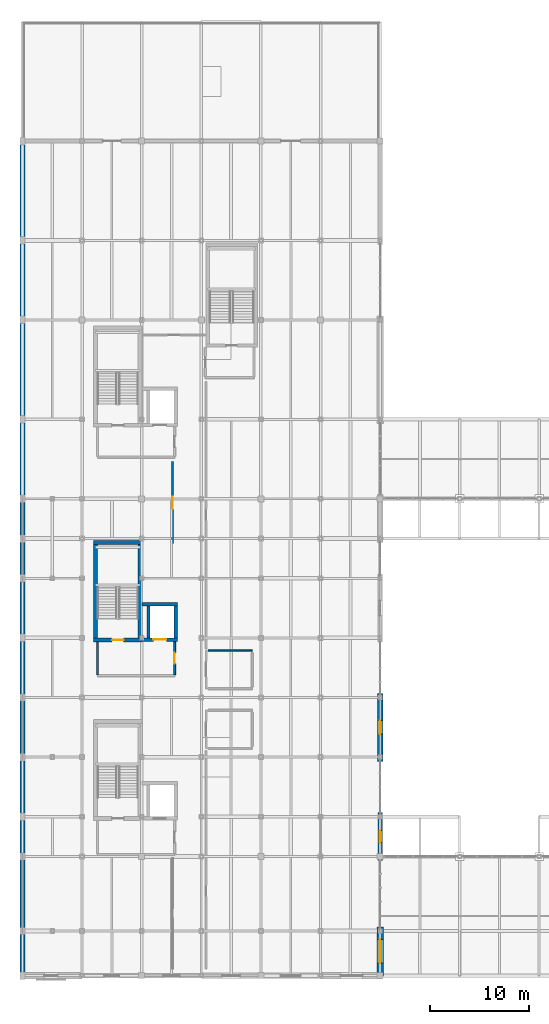
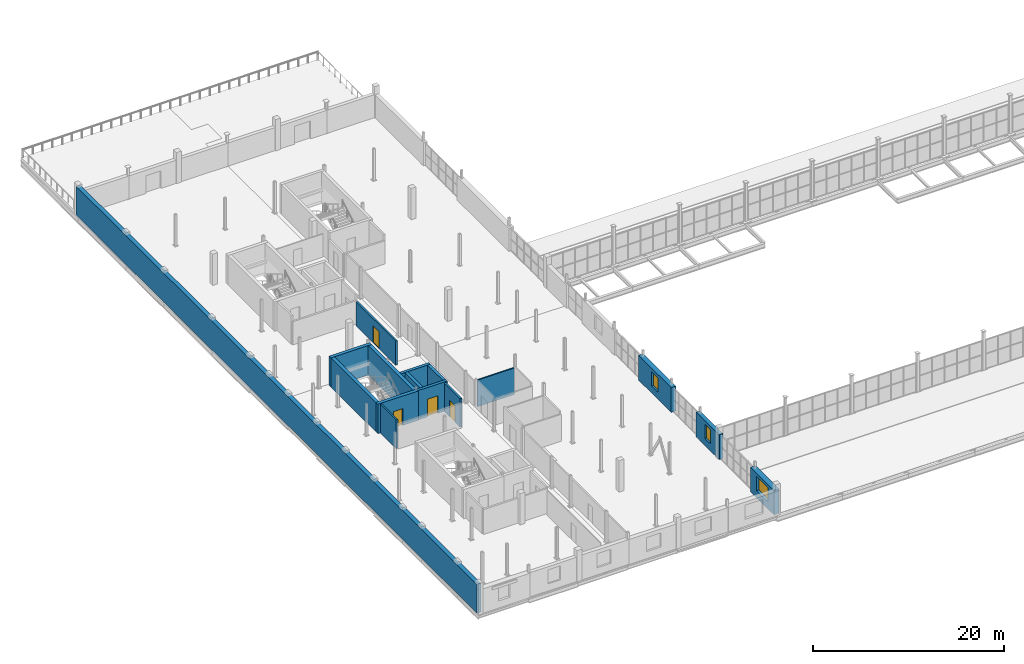
# One storey, part 88 of 96: 16 walls, 4 doors, 3 windows, 7 openings.
"""IFC4 building model written with IfcOpenShell, lengths in metres."""

from ifc_helpers import new_model, si_unit, direction, frame, frame_2d, origin, place, context, subcontext, project, spatial, rectangle, extrude, material, layer, layer_set, type_object, element, fill, save


model = new_model("IFC4")

# Units and contexts
model_context = context("Model", 3, precision=1e-05, world=origin(), true_north=direction((0.0, 1.0)))
body_context = subcontext(model_context, "Body", "Model", "MODEL_VIEW")
ifc_project = project(units=[si_unit("LENGTHUNIT", "METRE"), si_unit("AREAUNIT", "SQUARE_METRE"), si_unit("VOLUMEUNIT", "CUBIC_METRE"), si_unit("PLANEANGLEUNIT", "RADIAN"), si_unit("MASSUNIT", "GRAM", prefix="KILO")], contexts=[model_context])

# Site, building, storey
site_placement = place(None, origin())
site = spatial("IfcSite", under=ifc_project, at=site_placement, CompositionType="ELEMENT")
building_placement = place(site_placement, origin())
building = spatial("IfcBuilding", under=site, at=building_placement, Name="Verrall Gate Interchange", CompositionType="ELEMENT")
storey_placement = place(building_placement, frame((0.0, 0.0, 11.39990234375)))
storey = spatial("IfcBuildingStorey", under=building, at=storey_placement, Name="L03", CompositionType="ELEMENT", Elevation=11.39990234375)

# Wall, opening, window
ifc_material_1 = material(Name="Tyndall Dolomitic Limestone Ashlar Cavity Assembly (U=0.18)", Category="masonry")
ifc_layer_1 = layer(ifc_material_1, 0.4599609375)
ifc_layer_set_1 = layer_set([ifc_layer_1], Name="Tyndall Dolomitic Limestone Ashlar Cavity Assembly (U=0.18)")
wall_type_1 = type_object("IfcWallType", Name="EW-02 Exterior Solid Wall 460", PredefinedType="SOLIDWALL", material=ifc_layer_set_1)
wall_1_placement = place(storey_placement, frame((36.0, 11.580078125, 0.0), z_axis=(0.0, 0.0, 1.0), x_axis=(0.0, 1.0, 0.0)))
wall_1 = element("IfcWall", 1, at=wall_1_placement, inside=storey, type_object=wall_type_1, Name="L03 Classical Limestone Facade Wall 087", PredefinedType="SOLIDWALL", context=body_context, shape_type="SweptSolid", body=[
    extrude(rectangle(XDim=4.83984375, YDim=0.4599609375, at=frame_2d((2.419921875, 0.0))), origin(), (0.0, 0.0, 1.0), 3.18701171875),
])
opening_1_placement = place(wall_1_placement, frame((1.820068359375, 0.0, 0.89990234375)))
opening_1 = element("IfcOpeningElement", 2, at=opening_1_placement, cuts=wall_1, Name="Opening WN-01", PredefinedType="OPENING", context=body_context, shape_type="SweptSolid", body=[
    extrude(rectangle(XDim=1.199951171875, YDim=1.800048828125, at=frame_2d((0.60009765625, 0.89990234375))), frame((0.0, 0.244873046875, 0.0), z_axis=(0.0, -1.0, 0.0), x_axis=(1.0, 0.0, 0.0)), (0.0, 0.0, 1.0), 0.48974609375),
])
ifc_material_2 = material(Name="Triple-Glazed Low-E Argon Bronze-Clad Window Unit (U=1.40)", Category="glass")
window_type_1 = type_object("IfcWindowType", Name="WN-01 Classical Deep-Reveal Window 1200x1800", PartitioningType="SINGLE_PANEL", PredefinedType="WINDOW", material=ifc_material_2)
window_1_placement = place(opening_1_placement, origin())
window_1 = element("IfcWindow", 3, at=window_1_placement, inside=storey, type_object=window_type_1, Name="L03 Classical Window 045 (WN-01)", OverallHeight=1.800048828125, OverallWidth=1.199951171875, PartitioningType="SINGLE_PANEL", PredefinedType="WINDOW", context=body_context, shape_type="SweptSolid", body=[
    extrude(rectangle(XDim=1.199951171875, YDim=1.800048828125, at=frame_2d((0.60009765625, 0.89990234375))), frame((0.0, 0.030029296875, 0.0), z_axis=(0.0, -1.0, 0.0), x_axis=(1.0, 0.0, 0.0)), (0.0, 0.0, 1.0), 0.06005859375),
])
fill(opening_1, window_1)

ifc_material_3 = material(Name="Tyndall Dolomitic Limestone Ashlar Cavity Assembly (U=0.18)", Category="masonry")
ifc_layer_2 = layer(ifc_material_3, 0.56005859375)
ifc_layer_set_2 = layer_set([ifc_layer_2], Name="Tyndall Dolomitic Limestone Ashlar Cavity Assembly (U=0.18)")
wall_type_2 = type_object("IfcWallType", Name="EW-04 Exterior Solid Wall 560", PredefinedType="SOLIDWALL", material=ifc_layer_set_2)
wall_2_placement = place(storey_placement, frame((36.0, 21.580078125, 0.0), z_axis=(0.0, 0.0, 1.0), x_axis=(0.0, 1.0, 0.0)))
wall_2 = element("IfcWall", 4, at=wall_2_placement, inside=storey, type_object=wall_type_2, Name="L03 Classical Limestone Facade Wall 088", PredefinedType="SOLIDWALL", context=body_context, shape_type="SweptSolid", body=[
    extrude(rectangle(XDim=6.83984375, YDim=0.56005859375, at=frame_2d((3.419921875, 0.0))), origin(), (0.0, 0.0, 1.0), 3.18701171875),
])
opening_2_placement = place(wall_2_placement, frame((2.7451171875, 0.0, 0.89990234375)))
opening_2 = element("IfcOpeningElement", 5, at=opening_2_placement, cuts=wall_2, Name="Opening WN-02", PredefinedType="OPENING", context=body_context, shape_type="SweptSolid", body=[
    extrude(rectangle(XDim=1.35009765625, YDim=1.800048828125, at=frame_2d((0.675048828125, 0.89990234375))), frame((0.0, 0.294921875, 0.0), z_axis=(0.0, -1.0, 0.0), x_axis=(1.0, 0.0, 0.0)), (0.0, 0.0, 1.0), 0.58984375),
])
ifc_material_4 = material(Name="Triple-Glazed Low-E Argon Bronze-Clad Window Unit (U=1.40)", Category="glass")
window_type_2 = type_object("IfcWindowType", Name="WN-02 Classical Deep-Reveal Window 1350x1800", PartitioningType="SINGLE_PANEL", PredefinedType="WINDOW", material=ifc_material_4)
window_2_placement = place(opening_2_placement, origin())
window_2 = element("IfcWindow", 6, at=window_2_placement, inside=storey, type_object=window_type_2, Name="L03 Classical Window 046 (WN-02)", OverallHeight=1.800048828125, OverallWidth=1.35009765625, PartitioningType="SINGLE_PANEL", PredefinedType="WINDOW", context=body_context, shape_type="SweptSolid", body=[
    extrude(rectangle(XDim=1.35009765625, YDim=1.800048828125, at=frame_2d((0.675048828125, 0.89990234375))), frame((0.0, 0.030029296875, 0.0), z_axis=(0.0, -1.0, 0.0), x_axis=(1.0, 0.0, 0.0)), (0.0, 0.0, 1.0), 0.06005859375),
])
fill(opening_2, window_2)

ifc_material_5 = material(Name="Prairie Charcoal Granite Plinth Rainscreen Assembly (U=0.18)", Category="masonry")
ifc_layer_3 = layer(ifc_material_5, 0.6201171875)
ifc_layer_set_3 = layer_set([ifc_layer_3], Name="Prairie Charcoal Granite Plinth Rainscreen Assembly (U=0.18)")
wall_type_3 = type_object("IfcWallType", Name="EW-05 Exterior Solid Wall 620", PredefinedType="SOLIDWALL", material=ifc_layer_set_3)
wall_3_placement = place(storey_placement, frame((36.0, -0.008056640625, 0.0), z_axis=(0.0, 0.0, 1.0), x_axis=(0.0, 1.0, 0.0)))
wall_3 = element("IfcWall", 7, at=wall_3_placement, inside=storey, type_object=wall_type_3, Name="L03 Classical Limestone Facade Wall 086", PredefinedType="SOLIDWALL", context=body_context, shape_type="SweptSolid", body=[
    extrude(rectangle(XDim=4.927978515625, YDim=0.6201171875, at=frame_2d((2.4638671875, 0.0))), origin(), (0.0, 0.0, 1.0), 3.111083984375),
])
opening_3_placement = place(wall_3_placement, frame((1.263916015625, 0.0, 0.89990234375)))
opening_3 = element("IfcOpeningElement", 8, at=opening_3_placement, cuts=wall_3, Name="Opening WN-08", PredefinedType="OPENING", context=body_context, shape_type="SweptSolid", body=[
    extrude(rectangle(XDim=2.39990234375, YDim=1.800048828125, at=frame_2d((1.199951171875, 0.89990234375))), frame((0.0, 0.324951171875, 0.0), z_axis=(0.0, -1.0, 0.0), x_axis=(1.0, 0.0, 0.0)), (0.0, 0.0, 1.0), 0.64990234375),
])
ifc_material_6 = material(Name="Triple-Glazed Low-E Argon Bronze-Clad Window Unit (U=1.40)", Category="glass")
window_type_3 = type_object("IfcWindowType", Name="WN-08 Classical Deep-Reveal Window 2400x1800", PartitioningType="SINGLE_PANEL", PredefinedType="WINDOW", material=ifc_material_6)
window_3_placement = place(opening_3_placement, origin())
window_3 = element("IfcWindow", 9, at=window_3_placement, inside=storey, type_object=window_type_3, Name="L03 Classical Window 044 (WN-08)", OverallHeight=1.800048828125, OverallWidth=2.39990234375, PartitioningType="SINGLE_PANEL", PredefinedType="WINDOW", context=body_context, shape_type="SweptSolid", body=[
    extrude(rectangle(XDim=2.39990234375, YDim=1.800048828125, at=frame_2d((1.199951171875, 0.89990234375))), frame((0.0, 0.030029296875, 0.0), z_axis=(0.0, -1.0, 0.0), x_axis=(1.0, 0.0, 0.0)), (0.0, 0.0, 1.0), 0.06005859375),
])
fill(opening_3, window_3)

# Walls
ifc_material_7 = material(Name="Concrete CSA A23.1 35 MPa Zero-Lot 2h Party Wall (U=0.18)", Category="concrete")
ifc_layer_4 = layer(ifc_material_7, 0.5)
ifc_layer_set_4 = layer_set([ifc_layer_4], Name="Concrete CSA A23.1 35 MPa Zero-Lot 2h Party Wall (U=0.18)")
wall_type_4 = type_object("IfcWallType", Name="EW-PTY Exterior Solid Wall 500", PredefinedType="SOLIDWALL", material=ifc_layer_set_4)
wall_4_placement = place(storey_placement, frame((0.0, -0.008056640625, 0.0), z_axis=(0.0, 0.0, 1.0), x_axis=(0.0, 1.0, 0.0)))
element("IfcWall", 10, at=wall_4_placement, inside=storey, type_object=wall_type_4, Name="L03 West Zero-Lot 2h Party Wall 003", PredefinedType="SOLIDWALL", context=body_context, shape_type="SweptSolid", body=[
    extrude(rectangle(XDim=84.01611328125, YDim=0.5, at=frame_2d((42.008056640625, 0.0))), origin(), (0.0, 0.0, 1.0), 3.68017578125),
])
ifc_material_8 = material(Name="Fire-Rated Type X Gypsum Stud Partition Assembly (60 min)", Category="gypsum")
ifc_layer_5 = layer(ifc_material_8, 0.199951171875)
ifc_layer_set_5 = layer_set([ifc_layer_5], Name="Fire-Rated Type X Gypsum Stud Partition Assembly (60 min)")
wall_type_5 = type_object("IfcWallType", Name="IW-01 Interior Partition Wall 200", PredefinedType="PARTITIONING", material=ifc_layer_set_5)
wall_5_placement = place(storey_placement, frame((7.550048828125, 33.60009765625, 0.0), z_axis=(0.0, 0.0, 1.0), x_axis=(0.0, -1.0, 0.0)))
element("IfcWall", 11, at=wall_5_placement, inside=storey, type_object=wall_type_5, Name="L03 Core C2 Lobby West Rated Wall", PredefinedType="PARTITIONING", context=body_context, shape_type="SweptSolid", body=[
    extrude(rectangle(XDim=3.320068359375, YDim=0.199951171875, at=frame_2d((1.66015625, 0.0))), origin(), (0.0, 0.0, 1.0), 3.68017578125),
])

# Wall, opening, door
wall_6_placement = place(storey_placement, frame((15.300048828125, 30.280029296875, 0.0), z_axis=(0.0, 0.0, 1.0), x_axis=(0.0, 1.0, 0.0)))
wall_6 = element("IfcWall", 12, at=wall_6_placement, inside=storey, type_object=wall_type_5, Name="L03 Core C2 Lobby East Rated Wall", PredefinedType="PARTITIONING", context=body_context, shape_type="SweptSolid", body=[
    extrude(rectangle(XDim=3.320068359375, YDim=0.199951171875, at=frame_2d((1.66015625, 0.0))), origin(), (0.0, 0.0, 1.0), 3.68017578125),
])
opening_4_placement = place(wall_6_placement, frame((1.110107421875, 0.0, 0.0)))
opening_4 = element("IfcOpeningElement", 13, at=opening_4_placement, cuts=wall_6, Name="Opening LBD032", PredefinedType="OPENING", context=body_context, shape_type="SweptSolid", body=[
    extrude(rectangle(XDim=1.10009765625, YDim=2.14990234375, at=frame_2d((0.550048828125, 1.074951171875))), frame((0.0, 0.11474609375, 0.0), z_axis=(0.0, -1.0, 0.0), x_axis=(1.0, 0.0, 0.0)), (0.0, 0.0, 1.0), 0.229736328125),
])
ifc_material_9 = material(Name="Hollow-Metal Fire-Rated Door Assembly", Category="metal")
door_type_1 = type_object("IfcDoorType", Name="ID-06 Interior Swing Door 1100x2150", OperationType="NOTDEFINED", PredefinedType="DOOR", material=ifc_material_9)
door_1_placement = place(opening_4_placement, origin())
door_1 = element("IfcDoor", 14, at=door_1_placement, inside=storey, type_object=door_type_1, Name="L03 Core C2 Lobby Fire Door LBD032", OperationType="SINGLE_SWING_RIGHT", OverallHeight=2.14990234375, OverallWidth=1.10009765625, PredefinedType="DOOR", context=body_context, shape_type="SweptSolid", body=[
    extrude(rectangle(XDim=1.10009765625, YDim=2.14990234375, at=frame_2d((0.550048828125, 1.074951171875))), frame((0.0, 0.02490234375, 0.0), z_axis=(0.0, -1.0, 0.0), x_axis=(1.0, 0.0, 0.0)), (0.0, 0.0, 1.0), 0.050048828125),
])
fill(opening_4, door_1)

wall_7_placement = place(storey_placement, frame((15.1201171875, 51.752685546875, 0.0), z_axis=(0.0, 0.0, 1.0), x_axis=(0.0, -1.0, 0.0)))
wall_7 = element("IfcWall", 15, at=wall_7_placement, inside=storey, type_object=wall_type_5, Name="L03 Headhouse Air-Handling Mechanical Plant Partition 061", PredefinedType="PARTITIONING", context=body_context, shape_type="SweptSolid", body=[
    extrude(rectangle(XDim=8.272705078125, YDim=0.199951171875, at=frame_2d((4.13623046875, 0.0))), origin(), (0.0, 0.0, 1.0), 3.111083984375),
])
opening_5_placement = place(wall_7_placement, frame((3.5263671875, 0.0, 0.0)))
opening_5 = element("IfcOpeningElement", 16, at=opening_5_placement, cuts=wall_7, Name="Opening D045", PredefinedType="OPENING", context=body_context, shape_type="SweptSolid", body=[
    extrude(rectangle(XDim=1.219970703125, YDim=2.199951171875, at=frame_2d((0.60986328125, 1.10009765625))), frame((0.0, 0.11474609375, 0.0), z_axis=(0.0, -1.0, 0.0), x_axis=(1.0, 0.0, 0.0)), (0.0, 0.0, 1.0), 0.229736328125),
])
ifc_material_10 = material(Name="Hollow-Metal Fire-Rated Door Assembly", Category="metal")
door_type_2 = type_object("IfcDoorType", Name="ID-07 Interior Swing Door 1220x2200", OperationType="NOTDEFINED", PredefinedType="DOOR", material=ifc_material_10)
door_2_placement = place(opening_5_placement, origin())
door_2 = element("IfcDoor", 17, at=door_2_placement, inside=storey, type_object=door_type_2, Name="L03 Headhouse Air-Handling Mechanical Plant Door D045", OperationType="SINGLE_SWING_RIGHT", OverallHeight=2.199951171875, OverallWidth=1.219970703125, PredefinedType="DOOR", context=body_context, shape_type="SweptSolid", body=[
    extrude(rectangle(XDim=1.219970703125, YDim=2.199951171875, at=frame_2d((0.60986328125, 1.10009765625))), frame((0.0, 0.02490234375, 0.0), z_axis=(0.0, -1.0, 0.0), x_axis=(1.0, 0.0, 0.0)), (0.0, 0.0, 1.0), 0.050048828125),
])
fill(opening_5, door_2)

# Wall
ifc_material_11 = material(Name="Fire-Rated Type X Gypsum Stud Partition Assembly (60 min)", Category="gypsum")
ifc_layer_6 = layer(ifc_material_11, 0.159912109375)
ifc_layer_set_6 = layer_set([ifc_layer_6], Name="Fire-Rated Type X Gypsum Stud Partition Assembly (60 min)")
wall_type_6 = type_object("IfcWallType", Name="IW-02 Interior Partition Wall 160", PredefinedType="PARTITIONING", material=ifc_layer_set_6)
wall_8_placement = place(storey_placement, frame((18.679931640625, 32.719970703125, 0.0), z_axis=(0.0, 0.0, 1.0), x_axis=(1.0, 0.0, 0.0)))
element("IfcWall", 18, at=wall_8_placement, inside=storey, type_object=wall_type_6, Name="L03 L03 Accessible Washroom Partition 054", PredefinedType="PARTITIONING", context=body_context, shape_type="SweptSolid", body=[
    extrude(rectangle(XDim=4.440185546875, YDim=0.159912109375, at=frame_2d((2.22021484375, 0.0))), origin(), (0.0, 0.0, 1.0), 3.403076171875),
])

# Wall, opening, door
ifc_material_12 = material(Name="Concrete CSA A23.1 40 MPa (Class N)", Category="concrete")
ifc_layer_7 = layer(ifc_material_12, 0.39990234375)
ifc_layer_set_7 = layer_set([ifc_layer_7], Name="Concrete CSA A23.1 40 MPa (Class N)")
wall_type_7 = type_object("IfcWallType", Name="SW-01 Core Shear Wall 400", PredefinedType="SHEAR", material=ifc_layer_set_7)
wall_9_placement = place(storey_placement, frame((7.14990234375, 33.800048828125, 0.0), z_axis=(0.0, 0.0, 1.0), x_axis=(1.0, 0.0, 0.0)))
wall_9 = element("IfcWall", 19, at=wall_9_placement, inside=storey, type_object=wall_type_7, Name="L03 Core C2 South Shear Wall", PredefinedType="SHEAR", context=body_context, shape_type="SweptSolid", body=[
    extrude(rectangle(XDim=4.900146484375, YDim=0.39990234375, at=frame_2d((2.4501953125, 0.0))), origin(), (0.0, 0.0, 1.0), 3.760009765625),
])
opening_6_placement = place(wall_9_placement, frame((1.875, 0.0, 0.0)))
opening_6 = element("IfcOpeningElement", 20, at=opening_6_placement, cuts=wall_9, Name="Opening SD023", PredefinedType="OPENING", context=body_context, shape_type="SweptSolid", body=[
    extrude(rectangle(XDim=1.14990234375, YDim=2.14990234375, at=frame_2d((0.574951171875, 1.074951171875))), frame((0.0, 0.21484375, 0.0), z_axis=(0.0, -1.0, 0.0), x_axis=(1.0, 0.0, 0.0)), (0.0, 0.0, 1.0), 0.4296875),
])
ifc_material_13 = material(Name="Hollow-Metal Fire-Rated Door Assembly", Category="metal")
door_type_3 = type_object("IfcDoorType", Name="ID-02 Interior Swing Door 1150x2150", OperationType="NOTDEFINED", PredefinedType="DOOR", material=ifc_material_13)
door_3_placement = place(opening_6_placement, origin())
door_3 = element("IfcDoor", 21, at=door_3_placement, inside=storey, type_object=door_type_3, Name="L03 Stair ST-02 Fire Door SD023", OperationType="SINGLE_SWING_LEFT", OverallHeight=2.14990234375, OverallWidth=1.14990234375, PredefinedType="DOOR", context=body_context, shape_type="SweptSolid", body=[
    extrude(rectangle(XDim=1.14990234375, YDim=2.14990234375, at=frame_2d((0.574951171875, 1.074951171875))), frame((0.0, 0.02490234375, 0.0), z_axis=(0.0, -1.0, 0.0), x_axis=(1.0, 0.0, 0.0)), (0.0, 0.0, 1.0), 0.050048828125),
])
fill(opening_6, door_3)

# Walls
wall_10_placement = place(storey_placement, frame((12.050048828125, 43.60009765625, 0.0), z_axis=(0.0, 0.0, 1.0), x_axis=(-1.0, 0.0, 0.0)))
element("IfcWall", 22, at=wall_10_placement, inside=storey, type_object=wall_type_7, Name="L03 Core C2 North Shear Wall", PredefinedType="SHEAR", context=body_context, shape_type="SweptSolid", body=[
    extrude(rectangle(XDim=4.900146484375, YDim=0.39990234375, at=frame_2d((2.4501953125, 0.0))), origin(), (0.0, 0.0, 1.0), 3.760009765625),
])
for number, where, z_axis, x_axis, name in (
    (23, (7.35009765625, 43.39990234375, 0.0), (0.0, 0.0, 1.0), (0.0, -1.0, 0.0), "L03 Core C2 West Shear Wall"),
    (24, (11.85009765625, 34.0, 0.0), (0.0, 0.0, 1.0), (0.0, 1.0, 0.0), "L03 Core C2 East Shear Wall"),
):
    element("IfcWall", number, at=place(storey_placement, frame(where, z_axis=z_axis, x_axis=x_axis)), inside=storey, type_object=wall_type_7, Name=name, PredefinedType="SHEAR", context=body_context, shape_type="SweptSolid", body=[
        extrude(rectangle(XDim=9.39990234375, YDim=0.39990234375, at=frame_2d((4.699951171875, 0.0))), origin(), (0.0, 0.0, 1.0), 3.760009765625),
    ])

# Wall, opening, door
ifc_material_14 = material(Name="Concrete CSA A23.1 40 MPa (Class N)", Category="concrete")
ifc_layer_8 = layer(ifc_material_14, 0.340087890625)
ifc_layer_set_8 = layer_set([ifc_layer_8], Name="Concrete CSA A23.1 40 MPa (Class N)")
wall_type_8 = type_object("IfcWallType", Name="SW-02 Core Shear Wall 340", PredefinedType="SHEAR", material=ifc_layer_set_8)
wall_11_placement = place(storey_placement, frame((12.050048828125, 33.830078125, 0.0), z_axis=(0.0, 0.0, 1.0), x_axis=(1.0, 0.0, 0.0)))
wall_11 = element("IfcWall", 25, at=wall_11_placement, inside=storey, type_object=wall_type_8, Name="L03 Elevator EL-02 South Shaft Wall", PredefinedType="SHEAR", context=body_context, shape_type="SweptSolid", body=[
    extrude(rectangle(XDim=3.5400390625, YDim=0.340087890625, at=frame_2d((1.77001953125, 0.0))), origin(), (0.0, 0.0, 1.0), 3.760009765625),
])
opening_7_placement = place(wall_11_placement, frame((1.1201171875, 0.0, 0.0)))
opening_7 = element("IfcOpeningElement", 26, at=opening_7_placement, cuts=wall_11, Name="Opening LD-02-L03", PredefinedType="OPENING", context=body_context, shape_type="SweptSolid", body=[
    extrude(rectangle(XDim=1.300048828125, YDim=2.25, at=frame_2d((0.64990234375, 1.125))), frame((0.0, 0.18505859375, 0.0), z_axis=(0.0, -1.0, 0.0), x_axis=(1.0, 0.0, 0.0)), (0.0, 0.0, 1.0), 0.369873046875),
])
ifc_material_15 = material(Name="Stainless-Steel Elevator Landing Sliding Door Assembly", Category="steel")
door_type_4 = type_object("IfcDoorType", Name="LD-03 Elevator Sliding Landing Door 1300x2250", OperationType="NOTDEFINED", PredefinedType="DOOR", material=ifc_material_15)
door_4_placement = place(opening_7_placement, origin())
door_4 = element("IfcDoor", 27, at=door_4_placement, inside=storey, type_object=door_type_4, Name="L03 Elevator EL-02 Sliding Landing Door", OperationType="DOUBLE_DOOR_SLIDING", OverallHeight=2.25, OverallWidth=1.300048828125, PredefinedType="DOOR", context=body_context, shape_type="SweptSolid", body=[
    extrude(rectangle(XDim=1.300048828125, YDim=2.25, at=frame_2d((0.64990234375, 1.125))), frame((0.0, 0.02490234375, 0.0), z_axis=(0.0, -1.0, 0.0), x_axis=(1.0, 0.0, 0.0)), (0.0, 0.0, 1.0), 0.050048828125),
])
fill(opening_7, door_4)

# Walls
wall_12_placement = place(storey_placement, frame((15.590087890625, 37.3701171875, 0.0), z_axis=(0.0, 0.0, 1.0), x_axis=(-1.0, 0.0, 0.0)))
element("IfcWall", 28, at=wall_12_placement, inside=storey, type_object=wall_type_8, Name="L03 Elevator EL-02 North Shaft Wall", PredefinedType="SHEAR", context=body_context, shape_type="SweptSolid", body=[
    extrude(rectangle(XDim=3.5400390625, YDim=0.340087890625, at=frame_2d((1.77001953125, 0.0))), origin(), (0.0, 0.0, 1.0), 3.760009765625),
])
for number, where, z_axis, x_axis, name in (
    (29, (12.679931640625, 37.199951171875, 0.0), (0.0, 0.0, 1.0), (0.0, -1.0, 0.0), "L03 Elevator EL-02 West Shaft Wall"),
    (30, (15.419921875, 34.0, 0.0), (0.0, 0.0, 1.0), (0.0, 1.0, 0.0), "L03 Elevator EL-02 East Shaft Wall"),
):
    element("IfcWall", number, at=place(storey_placement, frame(where, z_axis=z_axis, x_axis=x_axis)), inside=storey, type_object=wall_type_8, Name=name, PredefinedType="SHEAR", context=body_context, shape_type="SweptSolid", body=[
        extrude(rectangle(XDim=3.199951171875, YDim=0.340087890625, at=frame_2d((1.60009765625, 0.0))), origin(), (0.0, 0.0, 1.0), 3.760009765625),
    ])

save(model, "model.ifc")
